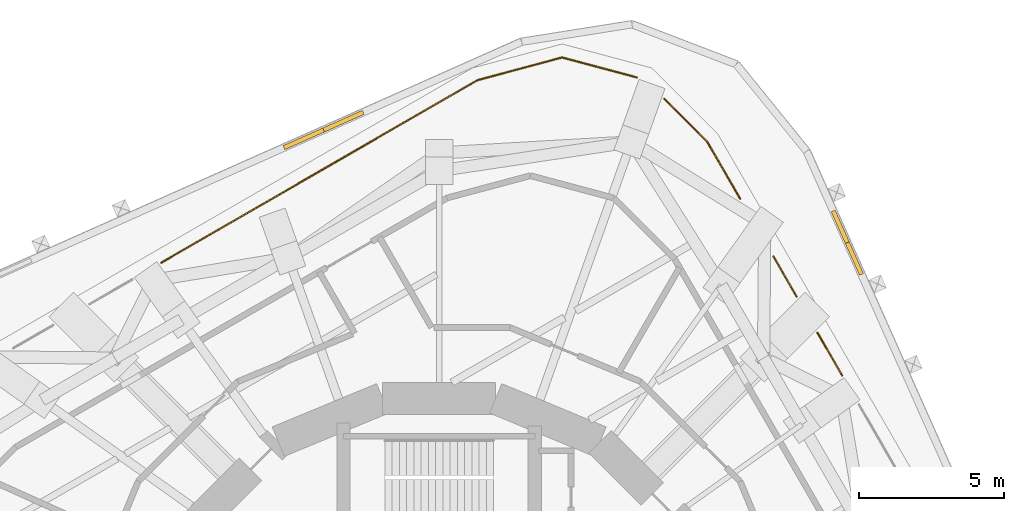
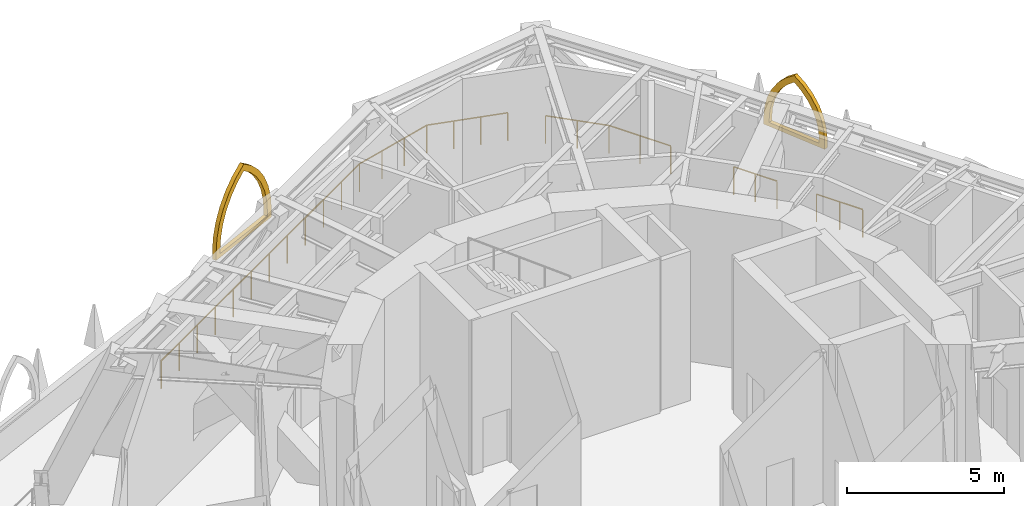
# One storey, part 9 of 10: 7 railings, 2 shading devices.
"""IFC4 building model written with IfcOpenShell, lengths in metres."""

from ifc_helpers import new_model, si_unit, direction, frame, origin, origin_2d, place, context, subcontext, project, spatial, polyline, circle, outline, extrude, material, type_object, element, save


model = new_model("IFC4")

# Units and contexts
model_context = context("Model", 3, precision=1e-05, world=origin(), true_north=direction((0.0, 1.0)))
body_context = subcontext(model_context, "Body", "Model", "MODEL_VIEW")
ifc_project = project(units=[si_unit("LENGTHUNIT", "METRE"), si_unit("AREAUNIT", "SQUARE_METRE"), si_unit("VOLUMEUNIT", "CUBIC_METRE"), si_unit("PLANEANGLEUNIT", "RADIAN"), si_unit("MASSUNIT", "GRAM", prefix="KILO")], contexts=[model_context])

# Site, building, storey
site_placement = place(None, origin())
site = spatial("IfcSite", under=ifc_project, at=site_placement, CompositionType="ELEMENT")
building_placement = place(site_placement, origin())
building = spatial("IfcBuilding", under=site, at=building_placement, Name="Nakasero Lantern House", CompositionType="ELEMENT")
storey_placement = place(building_placement, frame((0.0, 0.0, 217.10009765625)))
storey = spatial("IfcBuildingStorey", under=building, at=storey_placement, Name="L53", CompositionType="ELEMENT", Elevation=217.10009765625)

# Shading devices
ifc_material_1 = material(Name="Aluminium 6063-T6", Category="aluminium")
shading_device_type_1 = type_object("IfcShadingDeviceType", Name="Lancet screen 2400", PredefinedType="USERDEFINED", material=ifc_material_1)
shading_device_1_placement = place(storey_placement, frame((14.09228515625, 15.1845703125, 1.099853515625), z_axis=(0.0, 0.0, 1.0), x_axis=(-0.406736643, 0.913545458, 0.0)))
element("IfcShadingDevice", 1, at=shading_device_1_placement, inside=storey, type_object=shading_device_type_1, Name="Tracery screen L53 0-01", ObjectType="LANCET SCREEN", PredefinedType="USERDEFINED", context=body_context, shape_type="SweptSolid", body=[
    extrude(outline(polyline([(-1.199951171875, 0.0), (1.199951171875, 0.0), (1.199951171875, 0.300048828125), (1.16357421875, 0.716796875), (1.05517578125, 1.120849609375), (0.87841796875, 1.5), (0.638427734375, 1.8427734375), (0.3427734375, 2.138427734375), (0.0, 2.37841796875), (-0.3427734375, 2.138427734375), (-0.638427734375, 1.8427734375), (-0.87841796875, 1.5), (-1.05517578125, 1.120849609375), (-1.16357421875, 0.716796875), (-1.199951171875, 0.300048828125), (-1.199951171875, 0.0)]), holes=[polyline([(-0.97998046875, 0.14990234375), (0.97998046875, 0.14990234375), (0.97998046875, 0.300048828125), (0.950439453125, 0.6572265625), (0.86279296875, 1.0048828125), (0.719482421875, 1.33349609375), (0.524169921875, 1.63427734375), (0.281982421875, 1.898681640625), (0.0, 2.1201171875), (-0.281982421875, 1.898681640625), (-0.524169921875, 1.63427734375), (-0.719482421875, 1.33349609375), (-0.86279296875, 1.0048828125), (-0.950439453125, 0.6572265625), (-0.97998046875, 0.300048828125), (-0.97998046875, 0.14990234375)])]), frame((0.0, 0.074951171875, 0.0), z_axis=(0.0, -1.0, 0.0), x_axis=(1.0, 0.0, 0.0)), (0.0, 0.0, 1.0), 0.14990234375),
])
ifc_material_2 = material(Name="Aluminium 6063-T6", Category="aluminium")
shading_device_type_2 = type_object("IfcShadingDeviceType", Name="Lancet screen 3000", PredefinedType="USERDEFINED", material=ifc_material_2)
shading_device_2_placement = place(storey_placement, frame((-3.990234375, 19.076171875, 1.099853515625), z_axis=(0.0, 0.0, 1.0), x_axis=(-0.913545458, -0.406736643, 0.0)))
element("IfcShadingDevice", 2, at=shading_device_2_placement, inside=storey, type_object=shading_device_type_2, Name="Tracery screen L53 1-00", ObjectType="LANCET SCREEN", PredefinedType="USERDEFINED", context=body_context, shape_type="SweptSolid", body=[
    extrude(outline(polyline([(-1.5, 0.0), (1.5, 0.0), (1.5, 0.300048828125), (1.454345703125, 0.821044921875), (1.319091796875, 1.326171875), (1.09814453125, 1.800048828125), (0.798095703125, 2.228271484375), (0.428466796875, 2.59814453125), (0.0, 2.898193359375), (-0.428466796875, 2.59814453125), (-0.798095703125, 2.228271484375), (-1.09814453125, 1.800048828125), (-1.319091796875, 1.326171875), (-1.454345703125, 0.821044921875), (-1.5, 0.300048828125), (-1.5, 0.0)]), holes=[polyline([(-1.280029296875, 0.14990234375), (1.280029296875, 0.14990234375), (1.280029296875, 0.300048828125), (1.241455078125, 0.761474609375), (1.126708984375, 1.21044921875), (0.939208984375, 1.6337890625), (0.683837890625, 2.020263671875), (0.367919921875, 2.359130859375), (0.0, 2.640625), (-0.367919921875, 2.359130859375), (-0.683837890625, 2.020263671875), (-0.939208984375, 1.6337890625), (-1.126708984375, 1.21044921875), (-1.241455078125, 0.761474609375), (-1.280029296875, 0.300048828125), (-1.280029296875, 0.14990234375)])]), frame((0.0, 0.074951171875, 0.0), z_axis=(0.0, -1.0, 0.0), x_axis=(1.0, 0.0, 0.0)), (0.0, 0.0, 1.0), 0.14990234375),
])

# Railings
ifc_material_3 = material(Name="Aluminium 6063-T6", Category="aluminium")
railing_type = type_object("IfcRailingType", Name="Sky garden guard 1100", PredefinedType="GUARDRAIL", material=ifc_material_3)
railing_1_placement = place(storey_placement, frame((-9.599609375, 14.49169921875, 0.0)))
element("IfcRailing", 3, at=railing_1_placement, inside=storey, type_object=railing_type, Name="Refuge area guard L53 10", PredefinedType="GUARDRAIL", context=body_context, shape_type="SweptSolid", body=[
    extrude(circle(Radius=0.02392578125, at=origin_2d()), frame((0.0, 0.0, 1.076171875), z_axis=(0.866025326558, 0.500000133759, 0.0), x_axis=(-0.500000133759, 0.866025326558, 0.0)), (0.0, 0.0, 1.0), 12.6083984375),
    extrude(circle(Radius=0.02099609375, at=origin_2d()), origin(), (0.0, 0.0, 1.0), 1.052001953125),
    extrude(circle(Radius=0.02099609375, at=origin_2d()), frame((0.99267578125, 0.572998046875, 0.0)), (0.0, 0.0, 1.0), 1.052001953125),
    extrude(circle(Radius=0.02099609375, at=origin_2d()), frame((1.9853515625, 1.146240234375, 0.0)), (0.0, 0.0, 1.0), 1.052001953125),
    extrude(circle(Radius=0.02099609375, at=origin_2d()), frame((2.97802734375, 1.71923828125, 0.0)), (0.0, 0.0, 1.0), 1.052001953125),
    extrude(circle(Radius=0.02099609375, at=origin_2d()), frame((3.970703125, 2.29248046875, 0.0)), (0.0, 0.0, 1.0), 1.052001953125),
    extrude(circle(Radius=0.02099609375, at=origin_2d()), frame((4.96337890625, 2.865478515625, 0.0)), (0.0, 0.0, 1.0), 1.052001953125),
    extrude(circle(Radius=0.02099609375, at=origin_2d()), frame((5.955810546875, 3.438720703125, 0.0)), (0.0, 0.0, 1.0), 1.052001953125),
    extrude(circle(Radius=0.02099609375, at=origin_2d()), frame((6.948486328125, 4.01171875, 0.0)), (0.0, 0.0, 1.0), 1.052001953125),
    extrude(circle(Radius=0.02099609375, at=origin_2d()), frame((7.941162109375, 4.5849609375, 0.0)), (0.0, 0.0, 1.0), 1.052001953125),
    extrude(circle(Radius=0.02099609375, at=origin_2d()), frame((8.933837890625, 5.157958984375, 0.0)), (0.0, 0.0, 1.0), 1.052001953125),
    extrude(circle(Radius=0.02099609375, at=origin_2d()), frame((9.926513671875, 5.731201171875, 0.0)), (0.0, 0.0, 1.0), 1.052001953125),
    extrude(circle(Radius=0.02099609375, at=origin_2d()), frame((10.919189453125, 6.30419921875, 0.0)), (0.0, 0.0, 1.0), 1.052001953125),
])
railing_2_placement = place(storey_placement, frame((1.319580078125, 20.7958984375, 0.0)))
element("IfcRailing", 4, at=railing_2_placement, inside=storey, type_object=railing_type, Name="Refuge area guard L53 15", PredefinedType="GUARDRAIL", context=body_context, shape_type="SweptSolid", body=[
    extrude(circle(Radius=0.02392578125, at=origin_2d()), frame((0.0, 0.0, 1.076171875), z_axis=(0.965918553323, 0.258846186657, 0.0), x_axis=(-0.258846186657, 0.965918553323, 0.0)), (0.0, 0.0, 1.0), 3.029541015625),
    extrude(circle(Radius=0.02099609375, at=origin_2d()), origin(), (0.0, 0.0, 1.0), 1.052001953125),
    extrude(circle(Radius=0.02099609375, at=origin_2d()), frame((0.975341796875, 0.261474609375, 0.0)), (0.0, 0.0, 1.0), 1.052001953125),
    extrude(circle(Radius=0.02099609375, at=origin_2d()), frame((1.950927734375, 0.522705078125, 0.0)), (0.0, 0.0, 1.0), 1.052001953125),
    extrude(circle(Radius=0.02099609375, at=origin_2d()), frame((2.92626953125, 0.7841796875, 0.0)), (0.0, 0.0, 1.0), 1.052001953125),
])
railing_3_placement = place(storey_placement, frame((4.245849609375, 21.580078125, 0.0)))
element("IfcRailing", 5, at=railing_3_placement, inside=storey, type_object=railing_type, Name="Refuge area guard L53 16", PredefinedType="GUARDRAIL", context=body_context, shape_type="SweptSolid", body=[
    extrude(circle(Radius=0.02392578125, at=origin_2d()), frame((0.0, 0.0, 1.076171875), z_axis=(0.965925999513, -0.258818398619, 0.0), x_axis=(0.258818398619, 0.965925999513, 0.0)), (0.0, 0.0, 1.0), 2.66845703125),
    extrude(circle(Radius=0.02099609375, at=origin_2d()), origin(), (0.0, 0.0, 1.0), 1.052001953125),
    extrude(circle(Radius=0.02099609375, at=origin_2d()), frame((0.859130859375, -0.230224609375, 0.0)), (0.0, 0.0, 1.0), 1.052001953125),
    extrude(circle(Radius=0.02099609375, at=origin_2d()), frame((1.718505859375, -0.46044921875, 0.0)), (0.0, 0.0, 1.0), 1.052001953125),
    extrude(circle(Radius=0.02099609375, at=origin_2d()), frame((2.57763671875, -0.690673828125, 0.0)), (0.0, 0.0, 1.0), 1.052001953125),
])
railing_4_placement = place(storey_placement, frame((7.774658203125, 20.150146484375, 0.0)))
element("IfcRailing", 6, at=railing_4_placement, inside=storey, type_object=railing_type, Name="Refuge area guard L53 17", PredefinedType="GUARDRAIL", context=body_context, shape_type="SweptSolid", body=[
    extrude(circle(Radius=0.02392578125, at=origin_2d()), frame((0.0, 0.0, 1.076171875), z_axis=(0.707106781187, -0.707106781187, 0.0), x_axis=(0.707106781187, 0.707106781187, 0.0)), (0.0, 0.0, 1.0), 2.09375),
    extrude(circle(Radius=0.02099609375, at=origin_2d()), origin(), (0.0, 0.0, 1.0), 1.052001953125),
    extrude(circle(Radius=0.02099609375, at=origin_2d()), frame((0.740234375, -0.740234375, 0.0)), (0.0, 0.0, 1.0), 1.052001953125),
    extrude(circle(Radius=0.02099609375, at=origin_2d()), frame((1.48046875, -1.48046875, 0.0)), (0.0, 0.0, 1.0), 1.052001953125),
])
railing_5_placement = place(storey_placement, frame((9.255126953125, 18.669677734375, 0.0)))
element("IfcRailing", 7, at=railing_5_placement, inside=storey, type_object=railing_type, Name="Refuge area guard L53 18", PredefinedType="GUARDRAIL", context=body_context, shape_type="SweptSolid", body=[
    extrude(circle(Radius=0.02392578125, at=origin_2d()), frame((0.0, 0.0, 1.076171875), z_axis=(0.499989214724, -0.866031630577, 0.0), x_axis=(0.866031630577, 0.499989214724, 0.0)), (0.0, 0.0, 1.0), 2.27099609375),
    extrude(circle(Radius=0.02099609375, at=origin_2d()), origin(), (0.0, 0.0, 1.0), 1.052001953125),
    extrude(circle(Radius=0.02099609375, at=origin_2d()), frame((0.56787109375, -0.9833984375, 0.0)), (0.0, 0.0, 1.0), 1.052001953125),
    extrude(circle(Radius=0.02099609375, at=origin_2d()), frame((1.135498046875, -1.966796875, 0.0)), (0.0, 0.0, 1.0), 1.052001953125),
])
railing_6_placement = place(storey_placement, frame((11.5439453125, 14.705322265625, 0.0)))
element("IfcRailing", 8, at=railing_6_placement, inside=storey, type_object=railing_type, Name="Refuge area guard L53 20", PredefinedType="GUARDRAIL", context=body_context, shape_type="SweptSolid", body=[
    extrude(circle(Radius=0.02392578125, at=origin_2d()), frame((0.0, 0.0, 1.076171875), z_axis=(0.499921880224, -0.866070501561, 0.0), x_axis=(0.866070501561, 0.499921880224, 0.0)), (0.0, 0.0, 1.0), 1.589599609375),
    extrude(circle(Radius=0.02099609375, at=origin_2d()), origin(), (0.0, 0.0, 1.0), 1.052001953125),
    extrude(circle(Radius=0.02099609375, at=origin_2d()), frame((0.3974609375, -0.6884765625, 0.0)), (0.0, 0.0, 1.0), 1.052001953125),
    extrude(circle(Radius=0.02099609375, at=origin_2d()), frame((0.794677734375, -1.376708984375, 0.0)), (0.0, 0.0, 1.0), 1.052001953125),
])
railing_7_placement = place(storey_placement, frame((13.0634765625, 12.073486328125, 0.0)))
element("IfcRailing", 9, at=railing_7_placement, inside=storey, type_object=railing_type, Name="Refuge area guard L53 22", PredefinedType="GUARDRAIL", context=body_context, shape_type="SweptSolid", body=[
    extrude(circle(Radius=0.02392578125, at=origin_2d()), frame((0.0, 0.0, 1.076171875), z_axis=(0.499966756159, -0.866044596274, 0.0), x_axis=(0.866044596274, 0.499966756159, 0.0)), (0.0, 0.0, 1.0), 1.701171875),
    extrude(circle(Radius=0.02099609375, at=origin_2d()), origin(), (0.0, 0.0, 1.0), 1.052001953125),
    extrude(circle(Radius=0.02099609375, at=origin_2d()), frame((0.42529296875, -0.73681640625, 0.0)), (0.0, 0.0, 1.0), 1.052001953125),
    extrude(circle(Radius=0.02099609375, at=origin_2d()), frame((0.8505859375, -1.473388671875, 0.0)), (0.0, 0.0, 1.0), 1.052001953125),
])

save(model, "model.ifc")
